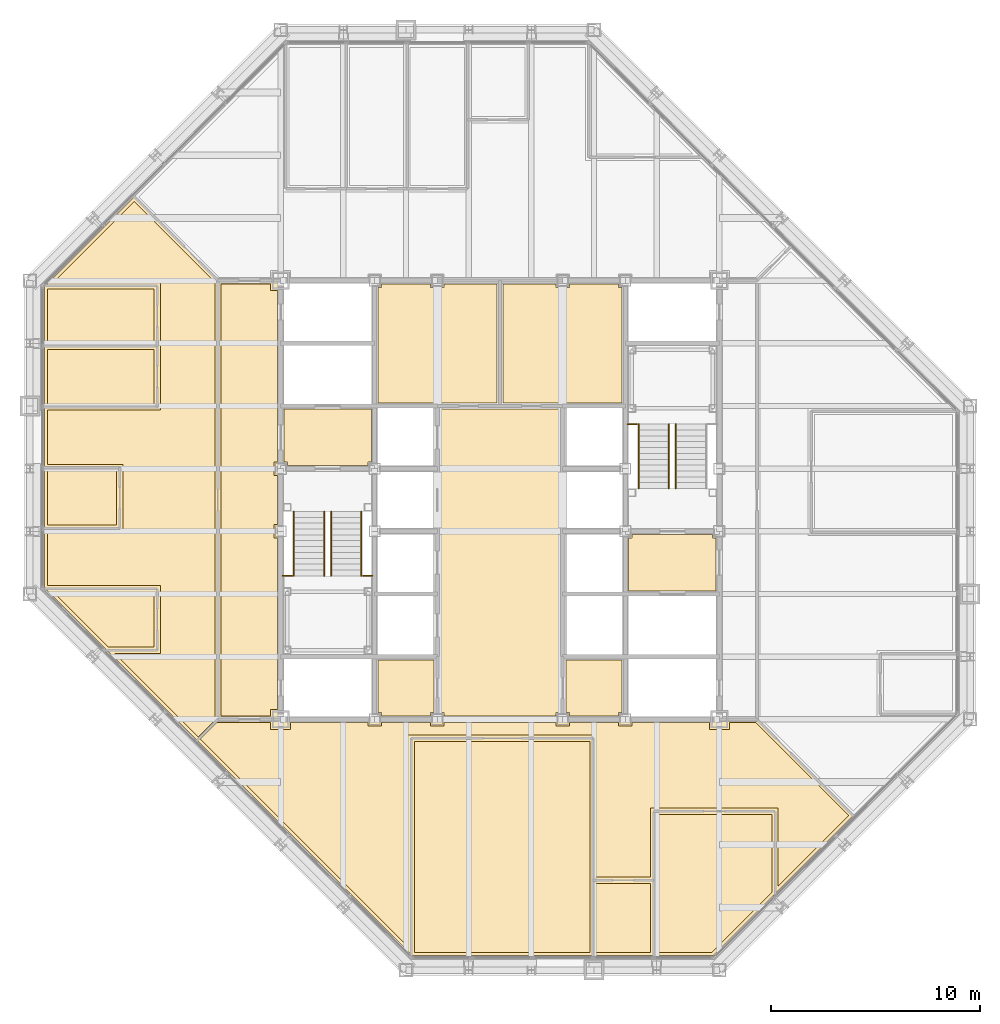
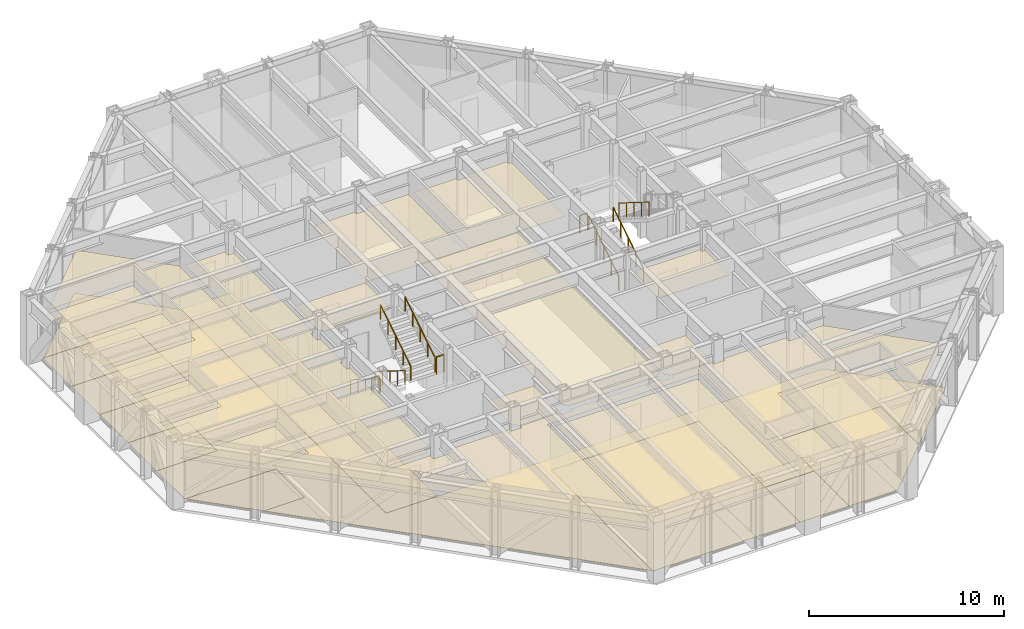
# One storey, part 15 of 16: 26 coverings, 10 railings.
"""IFC4 building model written with IfcOpenShell, lengths in metres."""

from ifc_helpers import new_model, si_unit, direction, frame, origin, origin_2d, place, context, subcontext, project, spatial, polyline, circle, outline, extrude, material, layer, layer_set, type_object, element, save


model = new_model("IFC4")

# Units and contexts
model_context = context("Model", 3, precision=1e-05, world=origin(), true_north=direction((0.0, 1.0)))
body_context = subcontext(model_context, "Body", "Model", "MODEL_VIEW")
ifc_project = project(units=[si_unit("LENGTHUNIT", "METRE"), si_unit("AREAUNIT", "SQUARE_METRE"), si_unit("VOLUMEUNIT", "CUBIC_METRE"), si_unit("PLANEANGLEUNIT", "RADIAN"), si_unit("MASSUNIT", "GRAM", prefix="KILO")], contexts=[model_context])

# Site, building, storey
site_placement = place(None, origin())
site = spatial("IfcSite", under=ifc_project, at=site_placement, CompositionType="ELEMENT")
building_placement = place(site_placement, origin())
building = spatial("IfcBuilding", under=site, at=building_placement, Name="Chuquiago Exchange Tower", CompositionType="ELEMENT")
storey_placement = place(building_placement, frame((0.0, 0.0, 239.10009765625)))
storey = spatial("IfcBuildingStorey", under=building, at=storey_placement, Name="L53", CompositionType="ELEMENT", Elevation=239.10009765625)

# Coverings
ifc_material_1 = material(Name="Mineral fibre tile, 600 x 600, on pale metal grid", Category="mineral fibre")
ifc_layer_1 = layer(ifc_material_1, 0.02001953125)
ifc_layer_set_1 = layer_set([ifc_layer_1], Name="CL1 suspended tile ceiling 20")
covering_type_1 = type_object("IfcCoveringType", Name="CL1 suspended tile ceiling 20", PredefinedType="CEILING", material=ifc_layer_set_1)
covering_1_placement = place(storey_placement, frame((0.0, 0.0, 2.7998046875)))
element("IfcCovering", 1, at=covering_1_placement, inside=storey, type_object=covering_type_1, Name="Ceiling Trading room", PredefinedType="CEILING", context=body_context, shape_type="SweptSolid", body=[
    extrude(outline(polyline([(18.3984375, 10.949951171875), (26.80029296875, 10.949951171875), (26.80029296875, 0.85009765625), (18.3984375, 0.85009765625), (18.3984375, 10.949951171875)])), origin(), (0.0, 0.0, 1.0), 0.02001953125),
])
covering_2_placement = place(storey_placement, frame((0.0, 0.0, 2.7998046875)))
element("IfcCovering", 2, at=covering_2_placement, inside=storey, type_object=covering_type_1, Name="Ceiling Focus room", PredefinedType="CEILING", context=body_context, shape_type="SweptSolid", body=[
    extrude(outline(polyline([(27.100341796875, 4.14990234375), (29.700927734375, 4.14990234375), (29.700927734375, 0.85009765625), (27.100341796875, 0.85009765625), (27.100341796875, 4.14990234375)])), origin(), (0.0, 0.0, 1.0), 0.02001953125),
])
covering_3_placement = place(storey_placement, frame((0.0, 0.0, 2.7998046875)))
element("IfcCovering", 3, at=covering_3_placement, inside=storey, type_object=covering_type_1, Name="Ceiling Risk management office", PredefinedType="CEILING", context=body_context, shape_type="SweptSolid", body=[
    extrude(outline(polyline([(30.0009765625, 0.85009765625), (30.0009765625, 7.449951171875), (35.513671875, 7.449951171875), (35.513671875, 3.715576171875), (32.64794921875, 0.85009765625), (30.0009765625, 0.85009765625)])), origin(), (0.0, 0.0, 1.0), 0.02001953125),
])
covering_4_placement = place(storey_placement, frame((0.0, 0.0, 2.7998046875)))
element("IfcCovering", 4, at=covering_4_placement, inside=storey, type_object=covering_type_1, Name="Ceiling Meeting room", PredefinedType="CEILING", context=body_context, shape_type="SweptSolid", body=[
    extrude(outline(polyline([(5.949951171875, 18.098388671875), (5.949951171875, 15.45703125), (3.744873046875, 15.45703125), (1.103515625, 18.098388671875), (5.949951171875, 18.098388671875)])), origin(), (0.0, 0.0, 1.0), 0.02001953125),
])
covering_5_placement = place(storey_placement, frame((0.0, 0.0, 2.7998046875)))
element("IfcCovering", 5, at=covering_5_placement, inside=storey, type_object=covering_type_1, Name="Ceiling Focus room", PredefinedType="CEILING", context=body_context, shape_type="SweptSolid", body=[
    extrude(outline(polyline([(4.14990234375, 23.899658203125), (4.14990234375, 21.299072265625), (0.85009765625, 21.299072265625), (0.85009765625, 23.899658203125), (4.14990234375, 23.899658203125)])), origin(), (0.0, 0.0, 1.0), 0.02001953125),
])
covering_6_placement = place(storey_placement, frame((0.0, 0.0, 2.7998046875)))
element("IfcCovering", 6, at=covering_6_placement, inside=storey, type_object=covering_type_1, Name="Ceiling Office", PredefinedType="CEILING", context=body_context, shape_type="SweptSolid", body=[
    extrude(outline(polyline([(5.949951171875, 29.700927734375), (5.949951171875, 27.100341796875), (0.85009765625, 27.100341796875), (0.85009765625, 29.700927734375), (5.949951171875, 29.700927734375)])), origin(), (0.0, 0.0, 1.0), 0.02001953125),
])
covering_7_placement = place(storey_placement, frame((0.0, 0.0, 2.7998046875)))
element("IfcCovering", 7, at=covering_7_placement, inside=storey, type_object=covering_type_1, Name="Ceiling Office", PredefinedType="CEILING", context=body_context, shape_type="SweptSolid", body=[
    extrude(outline(polyline([(5.949951171875, 32.6015625), (5.949951171875, 30.0009765625), (0.85009765625, 30.0009765625), (0.85009765625, 32.6015625), (5.949951171875, 32.6015625)])), origin(), (0.0, 0.0, 1.0), 0.02001953125),
])
covering_8_placement = place(storey_placement, frame((0.0, 0.0, 2.7998046875)))
element("IfcCovering", 8, at=covering_8_placement, inside=storey, type_object=covering_type_1, Name="Ceiling Circulation corridor", PredefinedType="CEILING", context=body_context, shape_type="SweptSolid", body=[
    extrude(outline(polyline([(9.14990234375, 12.14990234375), (9.14990234375, 32.85009765625), (11.52490234375, 32.85009765625), (11.52490234375, 32.52490234375), (11.85009765625, 32.52490234375), (11.85009765625, 24.324951171875), (11.675048828125, 24.324951171875), (11.675048828125, 23.675048828125), (11.85009765625, 23.675048828125), (11.85009765625, 21.324951171875), (11.675048828125, 21.324951171875), (11.675048828125, 20.675048828125), (11.85009765625, 20.675048828125), (11.85009765625, 12.47509765625), (11.52490234375, 12.47509765625), (11.52490234375, 12.14990234375), (9.14990234375, 12.14990234375)])), origin(), (0.0, 0.0, 1.0), 0.02001953125),
])
covering_9_placement = place(storey_placement, frame((0.0, 0.0, 2.7998046875)))
element("IfcCovering", 9, at=covering_9_placement, inside=storey, type_object=covering_type_1, Name="Ceiling Open office west", PredefinedType="CEILING", context=body_context, shape_type="SweptSolid", body=[
    extrude(outline(polyline([(11.52490234375, 11.85009765625), (11.52490234375, 11.52490234375), (12.47509765625, 11.52490234375), (12.47509765625, 11.85009765625), (16.175048828125, 11.85009765625), (16.175048828125, 11.675048828125), (16.824951171875, 11.675048828125), (16.824951171875, 11.85009765625), (19.175048828125, 11.85009765625), (19.175048828125, 11.675048828125), (19.824951171875, 11.675048828125), (19.824951171875, 11.85009765625), (25.175048828125, 11.85009765625), (25.175048828125, 11.675048828125), (25.824951171875, 11.675048828125), (25.824951171875, 11.85009765625), (28.175048828125, 11.85009765625), (28.175048828125, 11.675048828125), (28.824951171875, 11.675048828125), (28.824951171875, 11.85009765625), (32.52490234375, 11.85009765625), (32.52490234375, 11.52490234375), (33.47509765625, 11.52490234375), (33.47509765625, 11.85009765625), (34.7373046875, 11.85009765625), (39.192626953125, 7.39453125), (35.813720703125, 4.015625), (35.813720703125, 7.75), (29.700927734375, 7.75), (29.700927734375, 4.449951171875), (27.100341796875, 4.449951171875), (27.100341796875, 11.25), (18.098388671875, 11.25), (18.098388671875, 1.103515625), (8.150390625, 11.051513671875), (8.948974609375, 11.85009765625), (11.52490234375, 11.85009765625)])), origin(), (0.0, 0.0, 1.0), 0.02001953125),
])
covering_10_placement = place(storey_placement, frame((0.0, 0.0, 2.7998046875)))
element("IfcCovering", 10, at=covering_10_placement, inside=storey, type_object=covering_type_1, Name="Ceiling Open office west", PredefinedType="CEILING", context=body_context, shape_type="SweptSolid", body=[
    extrude(outline(polyline([(0.85009765625, 20.9990234375), (4.449951171875, 20.9990234375), (4.449951171875, 24.19970703125), (0.85009765625, 24.19970703125), (0.85009765625, 26.80029296875), (6.25, 26.80029296875), (6.25, 32.901611328125), (1.103515625, 32.901611328125), (4.99462890625, 36.79248046875), (8.85009765625, 32.9375), (8.85009765625, 11.948974609375), (8.051513671875, 11.150390625), (4.044921875, 15.156982421875), (6.25, 15.156982421875), (6.25, 18.3984375), (0.85009765625, 18.3984375), (0.85009765625, 20.9990234375)])), origin(), (0.0, 0.0, 1.0), 0.02001953125),
])
ifc_material_2 = material(Name="Moisture resistant plasterboard on metal frame", Category="gypsum")
ifc_layer_2 = layer(ifc_material_2, 0.014892578125)
ifc_layer_set_2 = layer_set([ifc_layer_2], Name="CL2 moisture resistant ceiling 15")
covering_type_2 = type_object("IfcCoveringType", Name="CL2 moisture resistant ceiling 15", PredefinedType="CEILING", material=ifc_layer_set_2)
covering_11_placement = place(storey_placement, frame((0.0, 0.0, 2.599853515625)))
element("IfcCovering", 11, at=covering_11_placement, inside=storey, type_object=covering_type_2, Name="Ceiling Male WC", PredefinedType="CEILING", context=body_context, shape_type="SweptSolid", body=[
    extrude(outline(polyline([(16.64990234375, 27.14990234375), (16.64990234375, 32.675048828125), (16.824951171875, 32.675048828125), (16.824951171875, 32.85009765625), (19.175048828125, 32.85009765625), (19.175048828125, 32.675048828125), (19.824951171875, 32.675048828125), (19.824951171875, 32.85009765625), (22.35009765625, 32.85009765625), (22.35009765625, 27.14990234375), (16.64990234375, 27.14990234375)])), origin(), (0.0, 0.0, 1.0), 0.01513671875),
])
covering_12_placement = place(storey_placement, frame((0.0, 0.0, 2.599853515625)))
element("IfcCovering", 12, at=covering_12_placement, inside=storey, type_object=covering_type_2, Name="Ceiling Female WC", PredefinedType="CEILING", context=body_context, shape_type="SweptSolid", body=[
    extrude(outline(polyline([(22.64990234375, 27.14990234375), (22.64990234375, 32.85009765625), (25.175048828125, 32.85009765625), (25.175048828125, 32.675048828125), (25.824951171875, 32.675048828125), (25.824951171875, 32.85009765625), (28.175048828125, 32.85009765625), (28.175048828125, 32.675048828125), (28.35009765625, 32.675048828125), (28.35009765625, 27.14990234375), (22.64990234375, 27.14990234375)])), origin(), (0.0, 0.0, 1.0), 0.01513671875),
])
covering_13_placement = place(storey_placement, frame((0.0, 0.0, 2.599853515625)))
element("IfcCovering", 13, at=covering_13_placement, inside=storey, type_object=covering_type_2, Name="Ceiling Accessible WC", PredefinedType="CEILING", context=body_context, shape_type="SweptSolid", body=[
    extrude(outline(polyline([(25.824951171875, 12.14990234375), (25.824951171875, 12.324951171875), (25.64990234375, 12.324951171875), (25.64990234375, 14.85009765625), (28.35009765625, 14.85009765625), (28.35009765625, 12.324951171875), (28.175048828125, 12.324951171875), (28.175048828125, 12.14990234375), (25.824951171875, 12.14990234375)])), origin(), (0.0, 0.0, 1.0), 0.01513671875),
])
covering_14_placement = place(storey_placement, frame((0.0, 0.0, 2.599853515625)))
element("IfcCovering", 14, at=covering_14_placement, inside=storey, type_object=covering_type_2, Name="Ceiling Cleaner", PredefinedType="CEILING", context=body_context, shape_type="SweptSolid", body=[
    extrude(outline(polyline([(16.824951171875, 12.14990234375), (16.824951171875, 12.324951171875), (16.64990234375, 12.324951171875), (16.64990234375, 14.85009765625), (19.35009765625, 14.85009765625), (19.35009765625, 12.324951171875), (19.175048828125, 12.324951171875), (19.175048828125, 12.14990234375), (16.824951171875, 12.14990234375)])), origin(), (0.0, 0.0, 1.0), 0.01513671875),
])
ifc_material_3 = material(Name="Pale metal plank ceiling, perforated", Category="aluminium")
ifc_layer_3 = layer(ifc_material_3, 0.030029296875)
ifc_layer_set_3 = layer_set([ifc_layer_3], Name="CL3 metal plank ceiling 30")
covering_type_3 = type_object("IfcCoveringType", Name="CL3 metal plank ceiling 30", PredefinedType="CEILING", material=ifc_layer_set_3)
covering_15_placement = place(storey_placement, frame((0.0, 0.0, 2.7998046875)))
element("IfcCovering", 15, at=covering_15_placement, inside=storey, type_object=covering_type_3, Name="Ceiling Lift lobby", PredefinedType="CEILING", context=body_context, shape_type="SweptSolid", body=[
    extrude(outline(polyline([(19.824951171875, 12.14990234375), (19.824951171875, 12.324951171875), (19.64990234375, 12.324951171875), (19.64990234375, 26.85009765625), (25.35009765625, 26.85009765625), (25.35009765625, 12.324951171875), (25.175048828125, 12.324951171875), (25.175048828125, 12.14990234375), (19.824951171875, 12.14990234375)])), origin(), (0.0, 0.0, 1.0), 0.030029296875),
])
covering_16_placement = place(storey_placement, frame((0.0, 0.0, 2.7998046875)))
element("IfcCovering", 16, at=covering_16_placement, inside=storey, type_object=covering_type_3, Name="Ceiling Firefighting lobby", PredefinedType="CEILING", context=body_context, shape_type="SweptSolid", body=[
    extrude(outline(polyline([(12.324951171875, 24.14990234375), (12.324951171875, 24.324951171875), (12.14990234375, 24.324951171875), (12.14990234375, 26.85009765625), (16.35009765625, 26.85009765625), (16.35009765625, 24.324951171875), (16.175048828125, 24.324951171875), (16.175048828125, 24.14990234375), (12.324951171875, 24.14990234375)])), origin(), (0.0, 0.0, 1.0), 0.030029296875),
])
covering_17_placement = place(storey_placement, frame((0.0, 0.0, 2.7998046875)))
element("IfcCovering", 17, at=covering_17_placement, inside=storey, type_object=covering_type_3, Name="Ceiling Firefighting lobby", PredefinedType="CEILING", context=body_context, shape_type="SweptSolid", body=[
    extrude(outline(polyline([(28.64990234375, 18.14990234375), (28.64990234375, 20.675048828125), (28.824951171875, 20.675048828125), (28.824951171875, 20.85009765625), (32.675048828125, 20.85009765625), (32.675048828125, 20.675048828125), (32.85009765625, 20.675048828125), (32.85009765625, 18.14990234375), (28.64990234375, 18.14990234375)])), origin(), (0.0, 0.0, 1.0), 0.030029296875),
])
ifc_material_4 = material(Name="Carpet tile, 500 x 500, on the floor slab", Category="textile")
ifc_layer_4 = layer(ifc_material_4, 0.010009765625)
ifc_layer_set_4 = layer_set([ifc_layer_4], Name="FL1 carpet tile 10")
covering_type_4 = type_object("IfcCoveringType", Name="FL1 carpet tile 10", PredefinedType="FLOORING", material=ifc_layer_set_4)
covering_18_placement = place(storey_placement, origin())
element("IfcCovering", 18, at=covering_18_placement, inside=storey, type_object=covering_type_4, Name="Floor finish Trading room", PredefinedType="FLOORING", context=body_context, shape_type="SweptSolid", body=[
    extrude(outline(polyline([(18.289794921875, 0.699951171875), (18.24853515625, 0.741455078125), (18.24853515625, 11.10009765625), (26.9501953125, 11.10009765625), (26.9501953125, 0.699951171875), (18.289794921875, 0.699951171875)])), origin(), (0.0, 0.0, 1.0), 0.010009765625),
])
covering_19_placement = place(storey_placement, origin())
element("IfcCovering", 19, at=covering_19_placement, inside=storey, type_object=covering_type_4, Name="Floor finish Focus room", PredefinedType="FLOORING", context=body_context, shape_type="SweptSolid", body=[
    extrude(outline(polyline([(26.9501953125, 0.699951171875), (26.9501953125, 4.300048828125), (29.850830078125, 4.300048828125), (29.850830078125, 0.699951171875), (26.9501953125, 0.699951171875)])), origin(), (0.0, 0.0, 1.0), 0.010009765625),
])
covering_20_placement = place(storey_placement, origin())
element("IfcCovering", 20, at=covering_20_placement, inside=storey, type_object=covering_type_4, Name="Floor finish Risk management office", PredefinedType="FLOORING", context=body_context, shape_type="SweptSolid", body=[
    extrude(outline(polyline([(32.710205078125, 0.699951171875), (29.850830078125, 0.699951171875), (29.850830078125, 7.60009765625), (35.66357421875, 7.60009765625), (35.66357421875, 3.653564453125), (32.710205078125, 0.699951171875)])), origin(), (0.0, 0.0, 1.0), 0.010009765625),
])
covering_21_placement = place(storey_placement, origin())
element("IfcCovering", 21, at=covering_21_placement, inside=storey, type_object=covering_type_4, Name="Floor finish Meeting room", PredefinedType="FLOORING", context=body_context, shape_type="SweptSolid", body=[
    extrude(outline(polyline([(0.741455078125, 18.24853515625), (6.10009765625, 18.24853515625), (6.10009765625, 15.30712890625), (3.682861328125, 15.30712890625), (0.741455078125, 18.24853515625)])), origin(), (0.0, 0.0, 1.0), 0.010009765625),
])
covering_22_placement = place(storey_placement, origin())
element("IfcCovering", 22, at=covering_22_placement, inside=storey, type_object=covering_type_4, Name="Floor finish Focus room", PredefinedType="FLOORING", context=body_context, shape_type="SweptSolid", body=[
    extrude(outline(polyline([(0.699951171875, 24.0498046875), (4.300048828125, 24.0498046875), (4.300048828125, 21.149169921875), (0.699951171875, 21.149169921875), (0.699951171875, 24.0498046875)])), origin(), (0.0, 0.0, 1.0), 0.010009765625),
])
covering_23_placement = place(storey_placement, origin())
element("IfcCovering", 23, at=covering_23_placement, inside=storey, type_object=covering_type_4, Name="Floor finish Office", PredefinedType="FLOORING", context=body_context, shape_type="SweptSolid", body=[
    extrude(outline(polyline([(0.699951171875, 29.850830078125), (6.10009765625, 29.850830078125), (6.10009765625, 26.9501953125), (0.699951171875, 26.9501953125), (0.699951171875, 29.850830078125)])), origin(), (0.0, 0.0, 1.0), 0.010009765625),
])
covering_24_placement = place(storey_placement, origin())
element("IfcCovering", 24, at=covering_24_placement, inside=storey, type_object=covering_type_4, Name="Floor finish Office", PredefinedType="FLOORING", context=body_context, shape_type="SweptSolid", body=[
    extrude(outline(polyline([(0.699951171875, 32.710205078125), (0.741455078125, 32.75146484375), (6.10009765625, 32.75146484375), (6.10009765625, 29.850830078125), (0.699951171875, 29.850830078125), (0.699951171875, 32.710205078125)])), origin(), (0.0, 0.0, 1.0), 0.010009765625),
])
covering_25_placement = place(storey_placement, origin())
element("IfcCovering", 25, at=covering_25_placement, inside=storey, type_object=covering_type_4, Name="Floor finish Open office west", PredefinedType="FLOORING", context=body_context, shape_type="SweptSolid", body=[
    extrude(outline(polyline([(4.300048828125, 24.0498046875), (0.699951171875, 24.0498046875), (0.699951171875, 26.9501953125), (6.10009765625, 26.9501953125), (6.10009765625, 32.75146484375), (0.741455078125, 32.75146484375), (4.99462890625, 37.004638671875), (9.0, 32.99951171875), (9.0, 12.0), (34.799560546875, 12.0), (39.40478515625, 7.39453125), (35.66357421875, 3.653564453125), (35.66357421875, 7.60009765625), (29.850830078125, 7.60009765625), (29.850830078125, 4.300048828125), (26.9501953125, 4.300048828125), (26.9501953125, 11.10009765625), (18.24853515625, 11.10009765625), (18.24853515625, 0.741455078125), (3.682861328125, 15.30712890625), (6.10009765625, 15.30712890625), (6.10009765625, 18.24853515625), (0.741455078125, 18.24853515625), (0.699951171875, 18.289794921875), (0.699951171875, 21.149169921875), (4.300048828125, 21.149169921875), (4.300048828125, 24.0498046875)])), origin(), (0.0, 0.0, 1.0), 0.010009765625),
])
ifc_material_5 = material(Name="Porcelain floor tile, 600 x 600, on adhesive bed", Category="ceramic")
ifc_layer_5 = layer(ifc_material_5, 0.014892578125)
ifc_layer_set_5 = layer_set([ifc_layer_5], Name="FL2 porcelain tile 15")
covering_type_5 = type_object("IfcCoveringType", Name="FL2 porcelain tile 15", PredefinedType="FLOORING", material=ifc_layer_set_5)
covering_26_placement = place(storey_placement, origin())
element("IfcCovering", 26, at=covering_26_placement, inside=storey, type_object=covering_type_5, Name="Floor finish Circulation corridor", PredefinedType="FLOORING", context=body_context, shape_type="SweptSolid", body=[
    extrude(outline(polyline([(12.0, 12.0), (9.0, 12.0), (9.0, 33.0), (12.0, 33.0), (12.0, 12.0)])), origin(), (0.0, 0.0, 1.0), 0.014892578125),
])

# Railings
ifc_material_6 = material(Name="Pale metal guard with safety glass infill", Category="glass")
railing_type_1 = type_object("IfcRailingType", Name="GR1 guard 1100", PredefinedType="GUARDRAIL", material=ifc_material_6)
for number, where, name in (
    (27, (12.10009765625, 18.8701171875, 2.099853515625), "Guard ST1 L53 landing 2"),
    (28, (15.945068359375, 18.8701171875, 2.099853515625), "Guard ST1 L53 landing 2"),
    (29, (28.60009765625, 26.1298828125, 2.099853515625), "Guard ST2 L53 landing 2"),
):
    element("IfcRailing", number, at=place(storey_placement, frame(where)), inside=storey, type_object=railing_type_1, Name=name, PredefinedType="GUARDRAIL", context=body_context, shape_type="SweptSolid", body=[
        extrude(circle(Radius=0.02392578125, at=origin_2d()), frame((0.0, 0.0, 1.076171875), z_axis=(1.0, 0.0, 0.0), x_axis=(0.0, 1.0, 0.0)), (0.0, 0.0, 1.0), 0.454833984375),
        extrude(circle(Radius=0.02099609375, at=origin_2d()), origin(), (0.0, 0.0, 1.0), 1.052001953125),
        extrude(circle(Radius=0.02099609375, at=origin_2d()), frame((0.454833984375, 0.0, 0.0)), (0.0, 0.0, 1.0), 1.052001953125),
    ])
ifc_material_7 = material(Name="Pale metal handrail", Category="steel")
railing_type_2 = type_object("IfcRailingType", Name="HR1 handrail 900", PredefinedType="HANDRAIL", material=ifc_material_7)
for number, where, name in (
    (30, (12.635009765625, 21.949951171875, 0.1748046875), "Handrail ST1 L53 flight 1"),
    (31, (14.0849609375, 21.949951171875, 0.1748046875), "Handrail ST1 L53 flight 1"),
):
    element("IfcRailing", number, at=place(storey_placement, frame(where)), inside=storey, type_object=railing_type_2, Name=name, PredefinedType="HANDRAIL", context=body_context, shape_type="SweptSolid", body=[
        extrude(circle(Radius=0.02392578125, at=origin_2d()), frame((0.0, 0.0, 0.8759765625), z_axis=(0.0, -0.847979421464, 0.530029150871), x_axis=(1.0, 0.0, 0.0)), (0.0, 0.0, 1.0), 3.632080078125),
        extrude(circle(Radius=0.02099609375, at=origin_2d()), origin(), (0.0, 0.0, 1.0), 0.851806640625),
        extrude(circle(Radius=0.02099609375, at=origin_2d()), frame((0.0, -0.77001953125, 0.481201171875)), (0.0, 0.0, 1.0), 0.851806640625),
        extrude(circle(Radius=0.02099609375, at=origin_2d()), frame((0.0, -1.5400390625, 0.96240234375)), (0.0, 0.0, 1.0), 0.851806640625),
        extrude(circle(Radius=0.02099609375, at=origin_2d()), frame((0.0, -2.309814453125, 1.44384765625)), (0.0, 0.0, 1.0), 0.851806640625),
        extrude(circle(Radius=0.02099609375, at=origin_2d()), frame((0.0, -3.079833984375, 1.925048828125)), (0.0, 0.0, 1.0), 0.851806640625),
    ])
for number, where, name in (
    (32, (15.864990234375, 18.8701171875, 2.27490234375), "Handrail ST1 L53 flight 2"),
    (33, (14.4150390625, 18.8701171875, 2.27490234375), "Handrail ST1 L53 flight 2"),
    (34, (30.5849609375, 23.050048828125, 0.1748046875), "Handrail ST2 L53 flight 1"),
    (35, (29.135009765625, 23.050048828125, 0.1748046875), "Handrail ST2 L53 flight 1"),
):
    element("IfcRailing", number, at=place(storey_placement, frame(where)), inside=storey, type_object=railing_type_2, Name=name, PredefinedType="HANDRAIL", context=body_context, shape_type="SweptSolid", body=[
        extrude(circle(Radius=0.02392578125, at=origin_2d()), frame((0.0, 0.0, 0.8759765625), z_axis=(0.0, 0.847979421464, 0.530029150871), x_axis=(-1.0, 0.0, 0.0)), (0.0, 0.0, 1.0), 3.632080078125),
        extrude(circle(Radius=0.02099609375, at=origin_2d()), origin(), (0.0, 0.0, 1.0), 0.851806640625),
        extrude(circle(Radius=0.02099609375, at=origin_2d()), frame((0.0, 0.77001953125, 0.481201171875)), (0.0, 0.0, 1.0), 0.851806640625),
        extrude(circle(Radius=0.02099609375, at=origin_2d()), frame((0.0, 1.5400390625, 0.96240234375)), (0.0, 0.0, 1.0), 0.851806640625),
        extrude(circle(Radius=0.02099609375, at=origin_2d()), frame((0.0, 2.309814453125, 1.44384765625)), (0.0, 0.0, 1.0), 0.851806640625),
        extrude(circle(Radius=0.02099609375, at=origin_2d()), frame((0.0, 3.079833984375, 1.925048828125)), (0.0, 0.0, 1.0), 0.851806640625),
    ])
railing_placement = place(storey_placement, frame((30.9150390625, 26.1298828125, 2.27490234375)))
element("IfcRailing", 36, at=railing_placement, inside=storey, type_object=railing_type_2, Name="Handrail ST2 L53 flight 2", PredefinedType="HANDRAIL", context=body_context, shape_type="SweptSolid", body=[
    extrude(circle(Radius=0.02392578125, at=origin_2d()), frame((0.0, 0.0, 0.8759765625), z_axis=(0.0, -0.847979421464, 0.530029150871), x_axis=(1.0, 0.0, 0.0)), (0.0, 0.0, 1.0), 3.632080078125),
    extrude(circle(Radius=0.02099609375, at=origin_2d()), origin(), (0.0, 0.0, 1.0), 0.851806640625),
    extrude(circle(Radius=0.02099609375, at=origin_2d()), frame((0.0, -0.77001953125, 0.481201171875)), (0.0, 0.0, 1.0), 0.851806640625),
    extrude(circle(Radius=0.02099609375, at=origin_2d()), frame((0.0, -1.5400390625, 0.96240234375)), (0.0, 0.0, 1.0), 0.851806640625),
    extrude(circle(Radius=0.02099609375, at=origin_2d()), frame((0.0, -2.309814453125, 1.44384765625)), (0.0, 0.0, 1.0), 0.851806640625),
    extrude(circle(Radius=0.02099609375, at=origin_2d()), frame((0.0, -3.079833984375, 1.925048828125)), (0.0, 0.0, 1.0), 0.851806640625),
])

save(model, "model.ifc")
